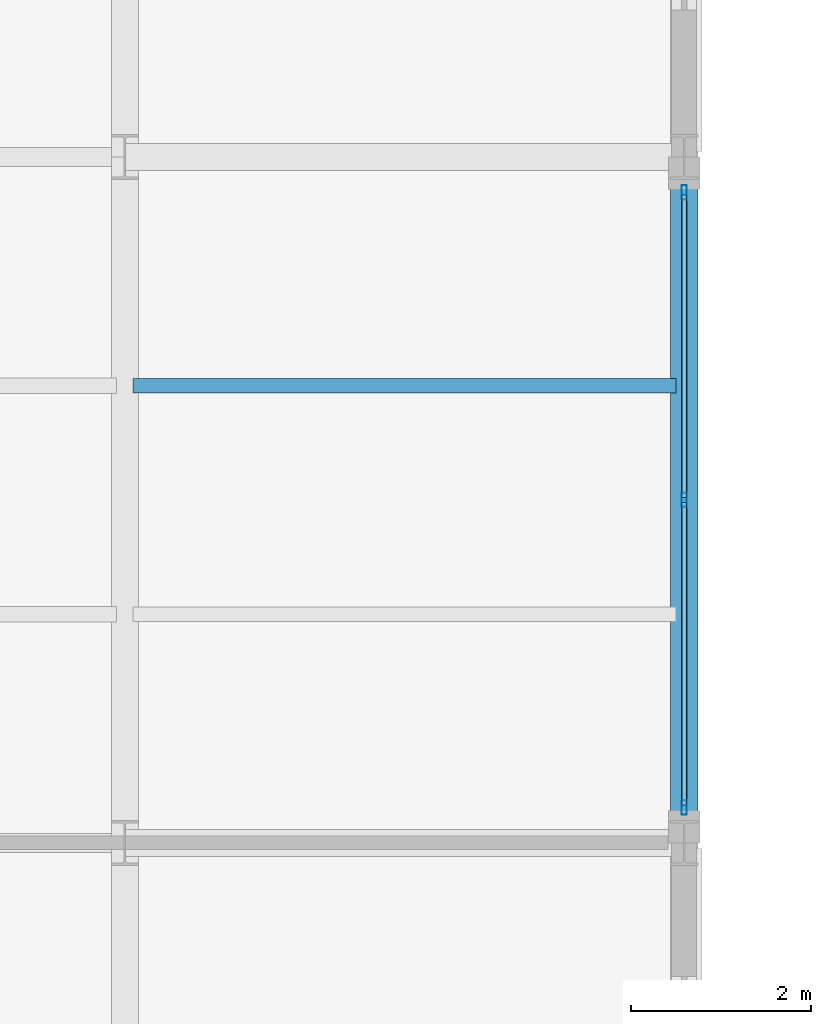
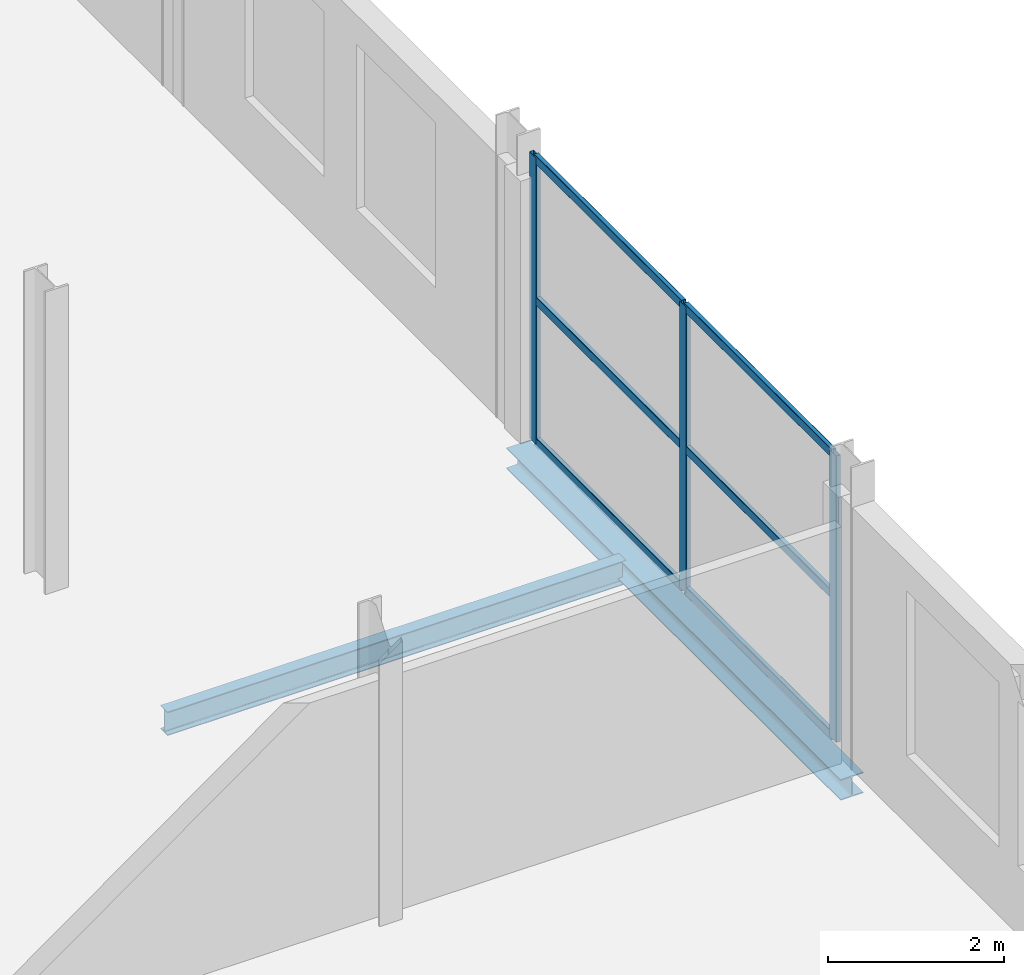
# One storey, part 66 of 101: 9 members, 2 beams, 1 element without a shape of its own.
"""IFC4 building model written with IfcOpenShell, lengths in metres."""

from ifc_helpers import new_model, si_unit, direction, frame, origin, origin_2d, place, context, subcontext, project, spatial, hollow_rectangle, i_section, extrude, material, layer, layer_set, material_profile, profile_set, type_object, element, aggregate, save


model = new_model("IFC4")

# Units and contexts
model_context = context("Model", 3, precision=1e-05, world=origin(), true_north=direction((0.0, 1.0)))
body_context = subcontext(model_context, "Body", "Model", "MODEL_VIEW")
ifc_project = project(units=[si_unit("LENGTHUNIT", "METRE"), si_unit("AREAUNIT", "SQUARE_METRE"), si_unit("VOLUMEUNIT", "CUBIC_METRE"), si_unit("PLANEANGLEUNIT", "RADIAN"), si_unit("MASSUNIT", "GRAM", prefix="KILO")], contexts=[model_context])

# Site, building, storey
site_placement = place(None, origin())
site = spatial("IfcSite", under=ifc_project, at=site_placement, CompositionType="ELEMENT")
building_placement = place(site_placement, origin())
building = spatial("IfcBuilding", under=site, at=building_placement, Name="Vekula Escarpment Museum", CompositionType="ELEMENT")
storey_placement = place(building_placement, frame((0.0, 0.0, 18.0)))
storey = spatial("IfcBuildingStorey", under=building, at=storey_placement, Name="L04", CompositionType="ELEMENT", Elevation=18.0)

# Beams
ifc_material_1 = material(Name="Steel S355", Category="steel")
ifc_material_profile_1 = material_profile(ifc_material_1, i_section(OverallWidth=0.159912109375, OverallDepth=0.330078125, WebThickness=0.007568359375, FlangeThickness=0.011474609375, FilletRadius=0.01806640625, at=origin_2d()), Name="IPE 330")
ifc_profile_set_1 = profile_set([ifc_material_profile_1], Name="Steel S355")
beam_type_1 = type_object("IfcBeamType", Name="BM-JST-IPE330", PredefinedType="JOIST", material=ifc_profile_set_1)
beam_1_placement = place(storey_placement, frame((191.889892578125, 103.066650390625, -0.445068359375), z_axis=(1.0, 0.0, 0.0), x_axis=(0.0, 1.0, 0.0)))
element("IfcBeam", 1, at=beam_1_placement, inside=storey, type_object=beam_type_1, Name="Secondary Joist L04 1285", PredefinedType="JOIST", context=body_context, shape_type="SweptSolid", body=[
    extrude(i_section(OverallWidth=0.159912109375, OverallDepth=0.330078125, WebThickness=0.007568359375, FlangeThickness=0.011474609375, FilletRadius=0.01806640625, at=origin_2d()), origin(), (0.0, 0.0, 1.0), 6.02001953125),
])
ifc_material_2 = material(Name="Steel S355", Category="steel")
ifc_material_profile_2 = material_profile(ifc_material_2, i_section(OverallWidth=0.300048828125, OverallDepth=0.2900390625, WebThickness=0.008544921875, FlangeThickness=0.013916015625, FilletRadius=0.027099609375, at=origin_2d()), Name="HEA 300")
ifc_profile_set_2 = profile_set([ifc_material_profile_2], Name="Steel S355")
beam_type_2 = type_object("IfcBeamType", Name="BM-SPAN-HEA300", PredefinedType="SPANDREL", material=ifc_profile_set_2)
beam_2_placement = place(storey_placement, frame((198.0, 98.0, -0.425048828125), z_axis=(0.0, 1.0, 0.0), x_axis=(-1.0, 0.0, 0.0)))
element("IfcBeam", 2, at=beam_2_placement, inside=storey, type_object=beam_type_2, Name="Beam Y L04 1955", PredefinedType="SPANDREL", context=body_context, shape_type="SweptSolid", body=[
    extrude(i_section(OverallWidth=0.300048828125, OverallDepth=0.2900390625, WebThickness=0.008544921875, FlangeThickness=0.013916015625, FilletRadius=0.027099609375, at=origin_2d()), origin(), (0.0, 0.0, 1.0), 7.60009765625),
])

# Curtain wall, members
ifc_material_3 = material(Name="Aluminium thermally broken framing", Category="aluminium")
ifc_layer = layer(ifc_material_3, 0.179931640625)
ifc_layer_set = layer_set([ifc_layer], Name="Aluminium thermally broken framing")
curtain_wall_type = type_object("IfcCurtainWallType", Name="CW-SYS-07", PredefinedType="NOTDEFINED", material=ifc_layer_set)
curtain_wall_placement = place(storey_placement, origin())
curtain_wall = element("IfcCurtainWall", 3, at=curtain_wall_placement, inside=storey, type_object=curtain_wall_type, Name="Curtain Wall CW-L04-147", PredefinedType="NOTDEFINED")
ifc_material_4 = material(Name="Aluminium anodized mullion", Category="aluminium")
ifc_material_profile_3 = material_profile(ifc_material_4, hollow_rectangle(XDim=0.06005859375, YDim=0.159912109375, WallThickness=0.00390625, InnerFilletRadius=0.00390625, OuterFilletRadius=0.008056640625, at=origin_2d()), Name="ALU 160x60x4")
ifc_profile_set_3 = profile_set([ifc_material_profile_3], Name="Aluminium anodized mullion")
member_type_1 = type_object("IfcMemberType", Name="CW-MUL-160", PredefinedType="MULLION", material=ifc_profile_set_3)
member_1_placement = place(storey_placement, frame((198.0, 98.389892578125, 0.0), z_axis=(0.0, 0.0, 1.0), x_axis=(-1.0, 0.0, 0.0)))
member_1 = element("IfcMember", 4, at=member_1_placement, type_object=member_type_1, Name="CW-07 mullion 1", PredefinedType="MULLION", context=body_context, shape_type="SweptSolid", body=[
    extrude(hollow_rectangle(XDim=0.06005859375, YDim=0.159912109375, WallThickness=0.00390625, InnerFilletRadius=0.00390625, OuterFilletRadius=0.008056640625, at=origin_2d()), origin(), (0.0, 0.0, 1.0), 3.97998046875),
])
member_2_placement = place(storey_placement, frame((198.0, 101.800048828125, 0.0), z_axis=(0.0, 0.0, 1.0), x_axis=(-1.0, 0.0, 0.0)))
member_2 = element("IfcMember", 5, at=member_2_placement, type_object=member_type_1, Name="CW-07 mullion 2", PredefinedType="MULLION", context=body_context, shape_type="SweptSolid", body=[
    extrude(hollow_rectangle(XDim=0.06005859375, YDim=0.159912109375, WallThickness=0.00390625, InnerFilletRadius=0.00390625, OuterFilletRadius=0.008056640625, at=origin_2d()), origin(), (0.0, 0.0, 1.0), 3.97998046875),
])
member_3_placement = place(storey_placement, frame((198.0, 105.2099609375, 0.0), z_axis=(0.0, 0.0, 1.0), x_axis=(-1.0, 0.0, 0.0)))
member_3 = element("IfcMember", 6, at=member_3_placement, type_object=member_type_1, Name="CW-07 mullion 3", PredefinedType="MULLION", context=body_context, shape_type="SweptSolid", body=[
    extrude(hollow_rectangle(XDim=0.06005859375, YDim=0.159912109375, WallThickness=0.00390625, InnerFilletRadius=0.00390625, OuterFilletRadius=0.008056640625, at=origin_2d()), origin(), (0.0, 0.0, 1.0), 3.97998046875),
])
ifc_material_5 = material(Name="Aluminium anodized transom", Category="aluminium")
ifc_material_profile_4 = material_profile(ifc_material_5, hollow_rectangle(XDim=0.06005859375, YDim=0.1201171875, WallThickness=0.00390625, InnerFilletRadius=0.00390625, OuterFilletRadius=0.008056640625, at=origin_2d()), Name="ALU 120x60x4")
ifc_profile_set_4 = profile_set([ifc_material_profile_4], Name="Aluminium anodized transom")
member_type_2 = type_object("IfcMemberType", Name="CW-TRN-120", PredefinedType="USERDEFINED", material=ifc_profile_set_4)
member_4_placement = place(storey_placement, frame((198.0, 98.419921875, 0.030029296875), z_axis=(0.0, 1.0, 0.0), x_axis=(-1.0, 0.0, 0.0)))
member_4 = element("IfcMember", 7, at=member_4_placement, type_object=member_type_2, Name="CW-07 transom 1.1", ObjectType="TRANSOM", PredefinedType="USERDEFINED", context=body_context, shape_type="SweptSolid", body=[
    extrude(hollow_rectangle(XDim=0.06005859375, YDim=0.1201171875, WallThickness=0.00390625, InnerFilletRadius=0.00390625, OuterFilletRadius=0.008056640625, at=origin_2d()), origin(), (0.0, 0.0, 1.0), 3.35009765625),
])
member_5_placement = place(storey_placement, frame((198.0, 98.419921875, 1.989990234375), z_axis=(0.0, 1.0, 0.0), x_axis=(-1.0, 0.0, 0.0)))
member_5 = element("IfcMember", 8, at=member_5_placement, type_object=member_type_2, Name="CW-07 transom 1.2", ObjectType="TRANSOM", PredefinedType="USERDEFINED", context=body_context, shape_type="SweptSolid", body=[
    extrude(hollow_rectangle(XDim=0.06005859375, YDim=0.1201171875, WallThickness=0.00390625, InnerFilletRadius=0.00390625, OuterFilletRadius=0.008056640625, at=origin_2d()), origin(), (0.0, 0.0, 1.0), 3.35009765625),
])
member_6_placement = place(storey_placement, frame((198.0, 98.419921875, 3.949951171875), z_axis=(0.0, 1.0, 0.0), x_axis=(-1.0, 0.0, 0.0)))
member_6 = element("IfcMember", 9, at=member_6_placement, type_object=member_type_2, Name="CW-07 transom 1.3", ObjectType="TRANSOM", PredefinedType="USERDEFINED", context=body_context, shape_type="SweptSolid", body=[
    extrude(hollow_rectangle(XDim=0.06005859375, YDim=0.1201171875, WallThickness=0.00390625, InnerFilletRadius=0.00390625, OuterFilletRadius=0.008056640625, at=origin_2d()), origin(), (0.0, 0.0, 1.0), 3.35009765625),
])
member_7_placement = place(storey_placement, frame((198.0, 101.830078125, 0.030029296875), z_axis=(0.0, 1.0, 0.0), x_axis=(-1.0, 0.0, 0.0)))
member_7 = element("IfcMember", 10, at=member_7_placement, type_object=member_type_2, Name="CW-07 transom 2.1", ObjectType="TRANSOM", PredefinedType="USERDEFINED", context=body_context, shape_type="SweptSolid", body=[
    extrude(hollow_rectangle(XDim=0.06005859375, YDim=0.1201171875, WallThickness=0.00390625, InnerFilletRadius=0.00390625, OuterFilletRadius=0.008056640625, at=origin_2d()), origin(), (0.0, 0.0, 1.0), 3.349853515625),
])
member_8_placement = place(storey_placement, frame((198.0, 101.830078125, 1.989990234375), z_axis=(0.0, 1.0, 0.0), x_axis=(-1.0, 0.0, 0.0)))
member_8 = element("IfcMember", 11, at=member_8_placement, type_object=member_type_2, Name="CW-07 transom 2.2", ObjectType="TRANSOM", PredefinedType="USERDEFINED", context=body_context, shape_type="SweptSolid", body=[
    extrude(hollow_rectangle(XDim=0.06005859375, YDim=0.1201171875, WallThickness=0.00390625, InnerFilletRadius=0.00390625, OuterFilletRadius=0.008056640625, at=origin_2d()), origin(), (0.0, 0.0, 1.0), 3.349853515625),
])
member_9_placement = place(storey_placement, frame((198.0, 101.830078125, 3.949951171875), z_axis=(0.0, 1.0, 0.0), x_axis=(-1.0, 0.0, 0.0)))
member_9 = element("IfcMember", 12, at=member_9_placement, type_object=member_type_2, Name="CW-07 transom 2.3", ObjectType="TRANSOM", PredefinedType="USERDEFINED", context=body_context, shape_type="SweptSolid", body=[
    extrude(hollow_rectangle(XDim=0.06005859375, YDim=0.1201171875, WallThickness=0.00390625, InnerFilletRadius=0.00390625, OuterFilletRadius=0.008056640625, at=origin_2d()), origin(), (0.0, 0.0, 1.0), 3.349853515625),
])
aggregate(curtain_wall, [member_1, member_2, member_3, member_4, member_5, member_6, member_7, member_8, member_9])

save(model, "model.ifc")
